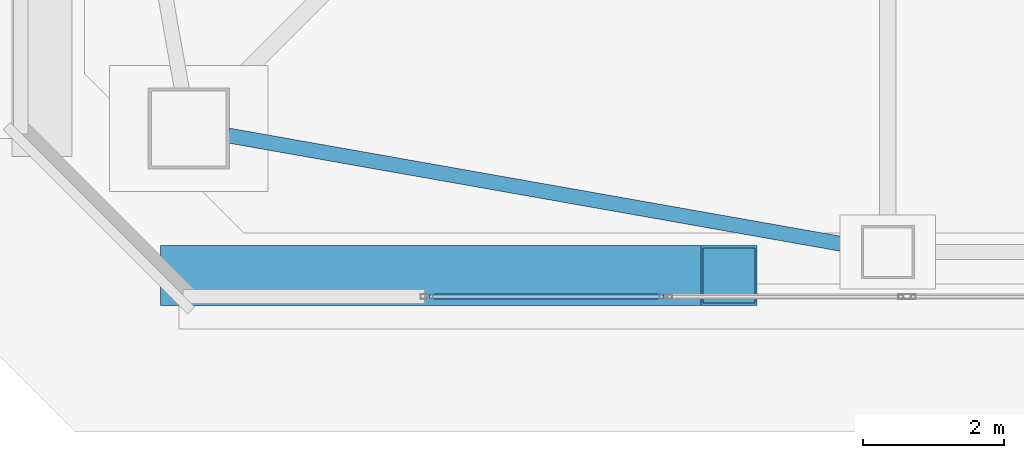
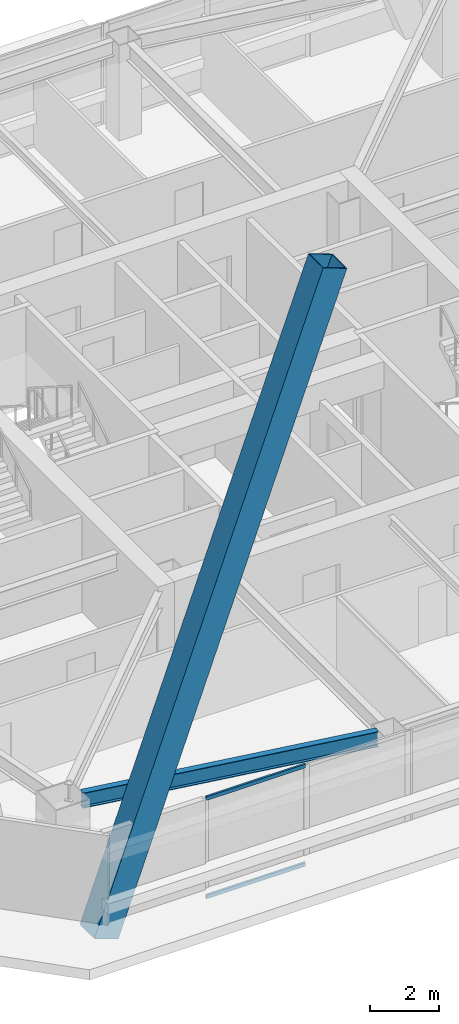
# One storey, part 4 of 65: 3 members, 1 beam, 1 element without a shape of its own.
"""IFC4 building model written with IfcOpenShell, lengths in metres."""

from ifc_helpers import new_model, si_unit, direction, frame, origin, origin_2d, place, context, subcontext, project, spatial, hollow_rectangle, i_section, extrude, material, material_profile, profile_set, type_object, element, aggregate, save


model = new_model("IFC4")

# Units and contexts
model_context = context("Model", 3, precision=1e-05, world=origin(), true_north=direction((0.0, 1.0)))
body_context = subcontext(model_context, "Body", "Model", "MODEL_VIEW")
ifc_project = project(units=[si_unit("LENGTHUNIT", "METRE"), si_unit("AREAUNIT", "SQUARE_METRE"), si_unit("VOLUMEUNIT", "CUBIC_METRE"), si_unit("PLANEANGLEUNIT", "RADIAN"), si_unit("MASSUNIT", "GRAM", prefix="KILO")], contexts=[model_context])

# Site, building, storey
site_placement = place(None, origin())
site = spatial("IfcSite", under=ifc_project, at=site_placement, CompositionType="ELEMENT")
building_placement = place(site_placement, origin())
building = spatial("IfcBuilding", under=site, at=building_placement, Name="Tashvorn Skyway Center", CompositionType="ELEMENT")
storey_placement = place(building_placement, frame((0.0, 0.0, 157.0)))
storey = spatial("IfcBuildingStorey", under=building, at=storey_placement, Name="L42", CompositionType="ELEMENT", Elevation=157.0)

# Beam
ifc_material_1 = material(Name="Steel ASTM A992 Grade 50", Category="steel")
ifc_material_profile_1 = material_profile(ifc_material_1, i_section(OverallWidth=0.2109375, OverallDepth=0.5390625, WebThickness=0.01171875, FlangeThickness=0.018798828125, at=origin_2d()), Name="W21X73")
ifc_profile_set_1 = profile_set([ifc_material_profile_1], Name="Steel ASTM A992 Grade 50")
beam_type = type_object("IfcBeamType", Name="BM-SPANDREL-W21X73", PredefinedType="SPANDREL", material=ifc_profile_set_1)
beam_placement = place(storey_placement, frame((27.26123046875, 16.600830078125, 3.1005859375), z_axis=(0.984732545667, -0.174074160933, 0.0), x_axis=(0.174074160933, 0.984732545667, 0.0)))
element("IfcBeam", 1, at=beam_placement, inside=storey, type_object=beam_type, Name="Tower 1 L42 Spandrel Beam 01", PredefinedType="SPANDREL", context=body_context, shape_type="SweptSolid", body=[
    extrude(i_section(OverallWidth=0.2109375, OverallDepth=0.5390625, WebThickness=0.01171875, FlangeThickness=0.018798828125, at=origin_2d()), origin(), (0.0, 0.0, 1.0), 9.113525390625),
])

# Curtain wall, members
ifc_material_2 = material(Name="Thermally broken bronze-anodized aluminium 6063-T6", Category="aluminium")
curtain_wall_type = type_object("IfcCurtainWallType", Name="CW-CW-Z4", PredefinedType="NOTDEFINED", material=ifc_material_2)
curtain_wall_placement = place(storey_placement, origin())
curtain_wall = element("IfcCurtainWall", 2, at=curtain_wall_placement, inside=storey, type_object=curtain_wall_type, Name="Tower 1 L42 South Unitised Curtain Wall Glazing Group 3", PredefinedType="NOTDEFINED")
ifc_material_profile_2 = material_profile(ifc_material_2, hollow_rectangle(XDim=0.070068359375, YDim=0.1298828125, WallThickness=0.00390625, at=origin_2d()), Name="ALU-TRAN-70x130")
ifc_profile_set_2 = profile_set([ifc_material_profile_2], Name="Thermally broken bronze-anodized aluminium 6063-T6")
member_type_1 = type_object("IfcMemberType", Name="CWT-CW-Z4", PredefinedType="USERDEFINED", material=ifc_profile_set_2)
member_1_placement = place(storey_placement, frame((33.420654296875, 14.320068359375, 0.034912109375), z_axis=(-1.0, 0.0, 0.0), x_axis=(0.0, -1.0, 0.0)))
member_1 = element("IfcMember", 3, at=member_1_placement, type_object=member_type_1, Name="CW-Z4 transom 2.1", ObjectType="TRANSOM", PredefinedType="USERDEFINED", context=body_context, shape_type="SweptSolid", body=[
    extrude(hollow_rectangle(XDim=0.070068359375, YDim=0.1298828125, WallThickness=0.00390625, at=origin_2d()), origin(), (0.0, 0.0, 1.0), 3.312744140625),
])
member_2_placement = place(storey_placement, frame((33.420654296875, 14.320068359375, 3.514892578125), z_axis=(-1.0, 0.0, 0.0), x_axis=(0.0, -1.0, 0.0)))
member_2 = element("IfcMember", 4, at=member_2_placement, type_object=member_type_1, Name="CW-Z4 transom 2.2", ObjectType="TRANSOM", PredefinedType="USERDEFINED", context=body_context, shape_type="SweptSolid", body=[
    extrude(hollow_rectangle(XDim=0.070068359375, YDim=0.1298828125, WallThickness=0.00390625, at=origin_2d()), origin(), (0.0, 0.0, 1.0), 3.312744140625),
])
aggregate(curtain_wall, [member_1, member_2])

# Member
ifc_material_3 = material(Name="Steel ASTM A572 Grade 50", Category="steel")
ifc_material_profile_3 = material_profile(ifc_material_3, hollow_rectangle(XDim=0.85009765625, YDim=0.85009765625, WallThickness=0.034912109375, at=origin_2d()), Name="BOX850x850x35")
ifc_profile_set_3 = profile_set([ifc_material_profile_3], Name="Steel ASTM A572 Grade 50")
member_type_2 = type_object("IfcMemberType", Name="MEM-MB-850", PredefinedType="BRACE", material=ifc_profile_set_3)
member_3_placement = place(storey_placement, frame((26.699951171875, 14.6201171875, -0.199951171875), z_axis=(0.341568887038, 0.0, 0.93985674196), x_axis=(0.0, 1.0, 0.0)))
element("IfcMember", 5, at=member_3_placement, inside=storey, type_object=member_type_2, Name="Tower 1 Zone 4 S Chevron Mega-Brace L1", PredefinedType="BRACE", context=body_context, shape_type="SweptSolid", body=[
    extrude(hollow_rectangle(XDim=0.85009765625, YDim=0.85009765625, WallThickness=0.034912109375, at=origin_2d()), origin(), (0.0, 0.0, 1.0), 22.39697265625),
])

save(model, "model.ifc")
